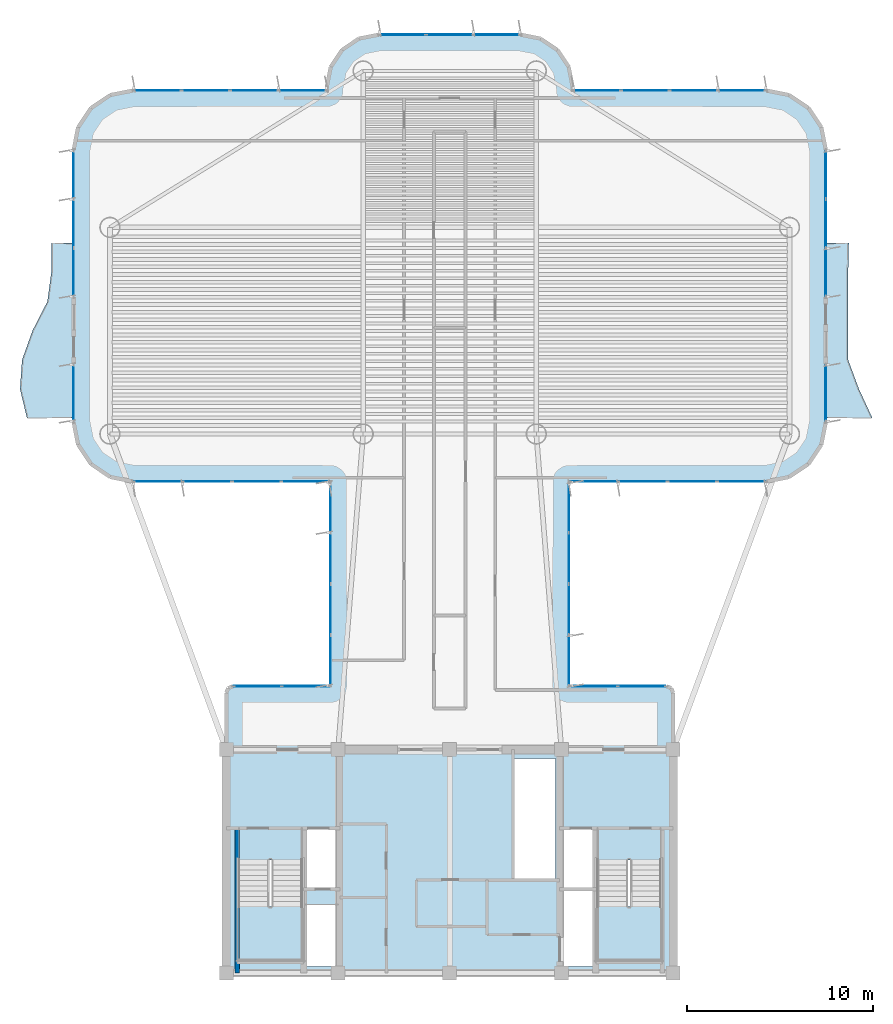
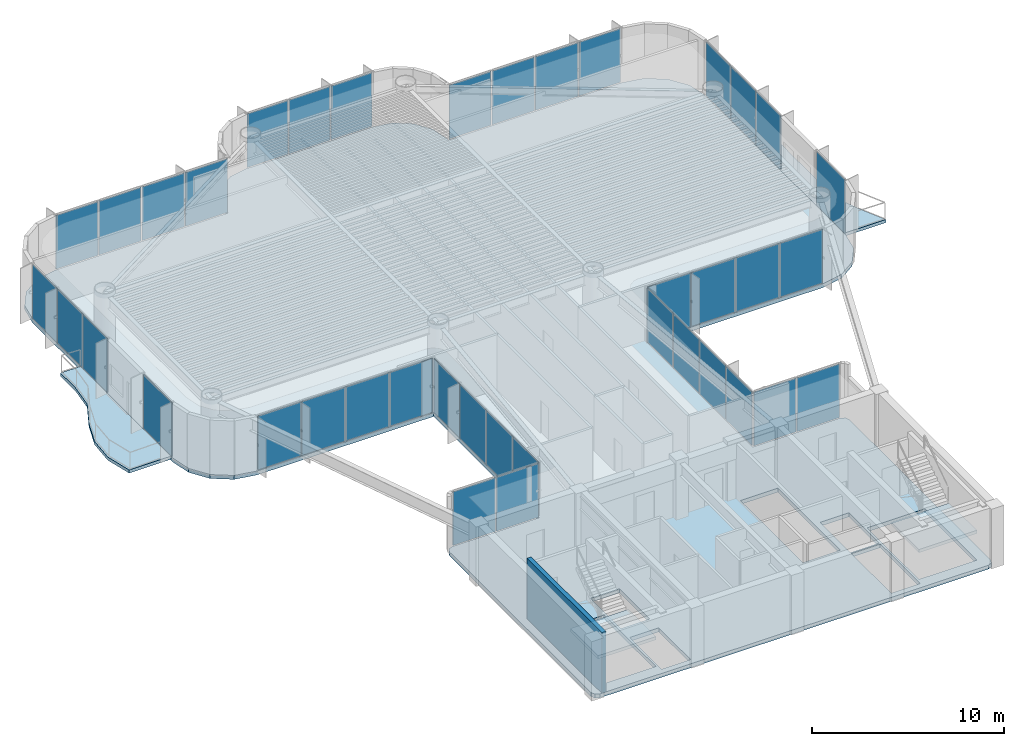
# One storey, part 8 of 13: 39 plates, 5 slabs, 1 wall, 15 elements without a shape of their own.
"""IFC4 building model written with IfcOpenShell, lengths in metres."""

from ifc_helpers import new_model, si_unit, direction, frame, frame_2d, origin, origin_2d, place, context, subcontext, project, spatial, polyline, rectangle, outline, extrude, source, transform, mapped, material, layer, layer_set, type_object, element, aggregate, save


model = new_model("IFC4")

# Units and contexts
model_context = context("Model", 3, precision=1e-05, world=origin(), true_north=direction((0.0, 1.0)))
body_context = subcontext(model_context, "Body", "Model", "MODEL_VIEW")
ifc_project = project(units=[si_unit("LENGTHUNIT", "METRE"), si_unit("AREAUNIT", "SQUARE_METRE"), si_unit("VOLUMEUNIT", "CUBIC_METRE"), si_unit("PLANEANGLEUNIT", "RADIAN"), si_unit("MASSUNIT", "GRAM", prefix="KILO")], contexts=[model_context])

# Site, building, storey
site_placement = place(None, origin())
site = spatial("IfcSite", under=ifc_project, at=site_placement, CompositionType="ELEMENT")
building_placement = place(site_placement, origin())
building = spatial("IfcBuilding", under=site, at=building_placement, Name="Brelvock Crest Care Tower", CompositionType="ELEMENT")
storey_placement = place(building_placement, frame((0.0, 0.0, 186.659912109375)))
storey = spatial("IfcBuildingStorey", under=building, at=storey_placement, Name="L47", CompositionType="ELEMENT", Elevation=186.659912109375)

# Slabs
ifc_material_1 = material(Name="Concrete N50 (50 MPa)", Category="concrete")
ifc_layer_1 = layer(ifc_material_1, 0.22998046875, Name="SLB-FL4")
ifc_layer_set_1 = layer_set([ifc_layer_1], Name="Concrete N50 (50 MPa)")
slab_type_1 = type_object("IfcSlabType", Name="SLB-FL4", PredefinedType="FLOOR", material=ifc_layer_set_1)
slab_1_placement = place(storey_placement, frame((0.0, 0.0, -0.25)))
element("IfcSlab", 1, at=slab_1_placement, inside=storey, type_object=slab_type_1, Name="L47 Main Structural Slab", PredefinedType="FLOOR", context=body_context, shape_type="SweptSolid", body=[
    extrude(outline(polyline([(47.64990234375, 21.39990234375), (42.39990234375, 21.39990234375), (42.39990234375, 32.39990234375), (53.0, 32.39990234375), (54.224609375, 32.6435546875), (55.2626953125, 33.33740234375), (55.956298828125, 34.37548828125), (56.199951171875, 35.60009765625), (56.199951171875, 50.199951171875), (55.956298828125, 51.424560546875), (55.2626953125, 52.462646484375), (54.224609375, 53.156494140625), (53.0, 53.39990234375), (42.60009765625, 53.39990234375), (42.60009765625, 53.60009765625), (42.386962890625, 54.67138671875), (41.77978515625, 55.579833984375), (40.87158203125, 56.18701171875), (39.800048828125, 56.39990234375), (32.199951171875, 56.39990234375), (31.12841796875, 56.18701171875), (30.22021484375, 55.579833984375), (29.613037109375, 54.67138671875), (29.39990234375, 53.60009765625), (29.39990234375, 53.39990234375), (19.0, 53.39990234375), (17.775390625, 53.156494140625), (16.7373046875, 52.462646484375), (16.043701171875, 51.424560546875), (15.800048828125, 50.199951171875), (15.800048828125, 35.60009765625), (16.043701171875, 34.37548828125), (16.7373046875, 33.33740234375), (17.775390625, 32.6435546875), (19.0, 32.39990234375), (29.60009765625, 32.39990234375), (29.60009765625, 21.39990234375), (24.35009765625, 21.39990234375), (24.1025390625, 21.297607421875), (24.0, 21.050048828125), (24.0, 6.35009765625), (24.1025390625, 6.1025390625), (24.35009765625, 6.0), (47.64990234375, 6.0), (47.8974609375, 6.1025390625), (48.0, 6.35009765625), (48.0, 21.050048828125), (47.8974609375, 21.297607421875), (47.64990234375, 21.39990234375)]), holes=[polyline([(28.239990234375, 10.580078125), (29.97998046875, 10.580078125), (29.97998046875, 13.739990234375), (28.239990234375, 13.739990234375), (28.239990234375, 10.580078125)]), polyline([(42.02001953125, 10.580078125), (43.760009765625, 10.580078125), (43.760009765625, 13.739990234375), (42.02001953125, 13.739990234375), (42.02001953125, 10.580078125)]), polyline([(28.239990234375, 6.340087890625), (29.97998046875, 6.340087890625), (29.97998046875, 9.64990234375), (28.239990234375, 9.64990234375), (28.239990234375, 6.340087890625)]), polyline([(24.6298828125, 12.080078125), (24.6298828125, 6.699951171875), (28.110107421875, 6.699951171875), (28.110107421875, 12.080078125), (24.6298828125, 12.080078125)]), polyline([(43.889892578125, 12.080078125), (43.889892578125, 6.699951171875), (47.3701171875, 6.699951171875), (47.3701171875, 12.080078125), (43.889892578125, 12.080078125)]), polyline([(42.02001953125, 6.340087890625), (43.760009765625, 6.340087890625), (43.760009765625, 10.5), (42.02001953125, 10.5), (42.02001953125, 6.340087890625)]), polyline([(39.429931640625, 11.030029296875), (41.669921875, 11.030029296875), (41.669921875, 17.52001953125), (39.429931640625, 17.52001953125), (39.429931640625, 11.030029296875)])]), origin(), (0.0, 0.0, 1.0), 0.25),
])
ifc_layer_2 = layer(ifc_material_1, 0.199951171875, Name="SLB-WB2")
ifc_layer_set_2 = layer_set([ifc_layer_2], Name="Concrete N50 (50 MPa)")
slab_type_2 = type_object("IfcSlabType", Name="SLB-WB2", PredefinedType="FLOOR", material=ifc_layer_set_2)
slab_2_placement = place(storey_placement, frame((0.0, 0.0, -0.199951171875)))
element("IfcSlab", 2, at=slab_2_placement, inside=storey, type_object=slab_type_2, Name="L47 W Sinusoidal Wave Balcony Slab", PredefinedType="FLOOR", context=body_context, shape_type="SweptSolid", body=[
    extrude(outline(polyline([(15.800048828125, 45.199951171875), (14.60009765625, 45.199951171875), (14.60009765625, 43.63330078125), (14.39111328125, 42.066650390625), (13.59033203125, 40.5), (13.031494140625, 38.933349609375), (12.91943359375, 37.36669921875), (13.29541015625, 35.800048828125), (15.800048828125, 35.800048828125), (15.800048828125, 45.199951171875)])), origin(), (0.0, 0.0, 1.0), 0.199951171875),
])
slab_3_placement = place(storey_placement, frame((0.0, 0.0, -0.199951171875)))
element("IfcSlab", 3, at=slab_3_placement, inside=storey, type_object=slab_type_2, Name="L47 E Sinusoidal Wave Balcony Slab", PredefinedType="FLOOR", context=body_context, shape_type="SweptSolid", body=[
    extrude(outline(polyline([(56.199951171875, 35.800048828125), (58.70458984375, 35.800048828125), (57.978515625, 37.36669921875), (57.39990234375, 38.933349609375), (57.39990234375, 40.5), (57.39990234375, 42.066650390625), (57.39990234375, 43.63330078125), (57.434814453125, 45.199951171875), (56.199951171875, 45.199951171875), (56.199951171875, 35.800048828125)])), origin(), (0.0, 0.0, 1.0), 0.199951171875),
])

# Stair, slab
ifc_material_2 = material(Name="Concrete N40 (40 MPa)", Category="concrete")
stair_type = type_object("IfcStairType", Name="ST-CORE1", PredefinedType="HALF_TURN_STAIR", material=ifc_material_2)
stair_1_placement = place(storey_placement, origin())
stair_1 = element("IfcStair", 4, at=stair_1_placement, inside=storey, type_object=stair_type, Name="L47 Fire-Isolated Core Stair ST-1", PredefinedType="HALF_TURN_STAIR")
ifc_layer_3 = layer(ifc_material_2, 0.199951171875, Name="STL-1")
ifc_layer_set_3 = layer_set([ifc_layer_3], Name="Concrete N40 (40 MPa)")
slab_type_3 = type_object("IfcSlabType", Name="STL-1", PredefinedType="LANDING", material=ifc_layer_set_3)
slab_4_placement = place(storey_placement, frame((0.0, 0.0, 1.690185546875)))
slab_4 = element("IfcSlab", 5, at=slab_4_placement, type_object=slab_type_3, Name="ST-1 landing 1", PredefinedType="LANDING", context=body_context, shape_type="SweptSolid", body=[
    extrude(outline(polyline([(24.6298828125, 9.56005859375), (24.6298828125, 6.699951171875), (28.110107421875, 6.699951171875), (28.110107421875, 9.56005859375), (24.6298828125, 9.56005859375)])), origin(), (0.0, 0.0, 1.0), 0.199951171875),
])
aggregate(stair_1, [slab_4])

stair_2_placement = place(storey_placement, origin())
stair_2 = element("IfcStair", 6, at=stair_2_placement, inside=storey, type_object=stair_type, Name="L47 Fire-Isolated Core Stair ST-2", PredefinedType="HALF_TURN_STAIR")
slab_5_placement = place(storey_placement, frame((0.0, 0.0, 1.690185546875)))
slab_5 = element("IfcSlab", 7, at=slab_5_placement, type_object=slab_type_3, Name="ST-2 landing 1", PredefinedType="LANDING", context=body_context, shape_type="SweptSolid", body=[
    extrude(outline(polyline([(43.889892578125, 9.56005859375), (43.889892578125, 6.699951171875), (47.3701171875, 6.699951171875), (47.3701171875, 9.56005859375), (43.889892578125, 9.56005859375)])), origin(), (0.0, 0.0, 1.0), 0.199951171875),
])
aggregate(stair_2, [slab_5])

# Curtain wall, plates
ifc_material_3 = material(Name="Dark Glass Double Glazed Low-E", Category="glass")
ifc_layer_4 = layer(ifc_material_3, 0.22509765625, Name="CWS-4")
ifc_layer_set_4 = layer_set([ifc_layer_4], Name="Dark Glass Double Glazed Low-E")
curtain_wall_type = type_object("IfcCurtainWallType", Name="CWS-4", PredefinedType="NOTDEFINED", material=ifc_layer_set_4)
curtain_wall_1_placement = place(storey_placement, origin())
curtain_wall_1 = element("IfcCurtainWall", 8, at=curtain_wall_1_placement, inside=storey, type_object=curtain_wall_type, Name="L47 Curtain Wall E10", PredefinedType="NOTDEFINED")
ifc_layer_5 = layer(ifc_material_3, 0.0380859375, Name="CWP-V2")
ifc_layer_set_5 = layer_set([ifc_layer_5], Name="Dark Glass Double Glazed Low-E")
plate_type = type_object("IfcPlateType", Name="CWP-V2", PredefinedType="CURTAIN_PANEL", material=ifc_layer_set_5)
shared_shape_1 = source(origin(), body_context, "Body", "SweptSolid", [
    extrude(rectangle(XDim=2.534912109375, YDim=0.035888671875, at=origin_2d()), origin(), (0.0, 0.0, 1.0), 3.409912109375),
])
plate_1_placement = place(storey_placement, frame((25.677490234375, 21.39990234375, 0.06005859375), z_axis=(0.0, 0.0, 1.0), x_axis=(1.0, 0.0, 0.0)))
plate_1 = element("IfcPlate", 9, at=plate_1_placement, type_object=plate_type, Name="CW-4 panel 1.1", PredefinedType="CURTAIN_PANEL", context=body_context, shape_type="MappedRepresentation", body=[
    mapped(shared_shape_1, transform((0.0, 0.0, 0.0), x_axis=(1.0, 0.0, 0.0), y_axis=(0.0, 1.0, 0.0), z_axis=(0.0, 0.0, 1.0), scale=1.0)),
])
plate_2_placement = place(storey_placement, frame((28.2724609375, 21.39990234375, 0.06005859375), z_axis=(0.0, 0.0, 1.0), x_axis=(1.0, 0.0, 0.0)))
plate_2 = element("IfcPlate", 10, at=plate_2_placement, type_object=plate_type, Name="CW-4 panel 2.1", PredefinedType="CURTAIN_PANEL", context=body_context, shape_type="MappedRepresentation", body=[
    mapped(shared_shape_1, transform((0.0, 0.0, 0.0), x_axis=(1.0, 0.0, 0.0), y_axis=(0.0, 1.0, 0.0), z_axis=(0.0, 0.0, 1.0), scale=1.0)),
])
aggregate(curtain_wall_1, [plate_1, plate_2])

curtain_wall_2_placement = place(storey_placement, origin())
curtain_wall_2 = element("IfcCurtainWall", 11, at=curtain_wall_2_placement, inside=storey, type_object=curtain_wall_type, Name="L47 Curtain Wall E46", PredefinedType="NOTDEFINED")
plate_3_placement = place(storey_placement, frame((43.7275390625, 21.39990234375, 0.06005859375), z_axis=(0.0, 0.0, 1.0), x_axis=(1.0, 0.0, 0.0)))
plate_3 = element("IfcPlate", 12, at=plate_3_placement, type_object=plate_type, Name="CW-4 panel 1.1", PredefinedType="CURTAIN_PANEL", context=body_context, shape_type="MappedRepresentation", body=[
    mapped(shared_shape_1, transform((0.0, 0.0, 0.0), x_axis=(1.0, 0.0, 0.0), y_axis=(0.0, 1.0, 0.0), z_axis=(0.0, 0.0, 1.0), scale=1.0)),
])
plate_4_placement = place(storey_placement, frame((46.322509765625, 21.39990234375, 0.06005859375), z_axis=(0.0, 0.0, 1.0), x_axis=(1.0, 0.0, 0.0)))
plate_4 = element("IfcPlate", 13, at=plate_4_placement, type_object=plate_type, Name="CW-4 panel 2.1", PredefinedType="CURTAIN_PANEL", context=body_context, shape_type="MappedRepresentation", body=[
    mapped(shared_shape_1, transform((0.0, 0.0, 0.0), x_axis=(1.0, 0.0, 0.0), y_axis=(0.0, 1.0, 0.0), z_axis=(0.0, 0.0, 1.0), scale=1.0)),
])
aggregate(curtain_wall_2, [plate_3, plate_4])

curtain_wall_3_placement = place(storey_placement, origin())
curtain_wall_3 = element("IfcCurtainWall", 14, at=curtain_wall_3_placement, inside=storey, type_object=curtain_wall_type, Name="L47 Curtain Wall E11", PredefinedType="NOTDEFINED")
shared_shape_2 = source(origin(), body_context, "Body", "SweptSolid", [
    extrude(rectangle(XDim=2.659912109375, YDim=0.035888671875, at=origin_2d()), origin(), (0.0, 0.0, 1.0), 3.409912109375),
])
plate_5_placement = place(storey_placement, frame((29.60009765625, 22.7900390625, 0.06005859375), z_axis=(0.0, 0.0, 1.0), x_axis=(0.0, 1.0, 0.0)))
plate_5 = element("IfcPlate", 15, at=plate_5_placement, type_object=plate_type, Name="CW-4 panel 1.1", PredefinedType="CURTAIN_PANEL", context=body_context, shape_type="MappedRepresentation", body=[
    mapped(shared_shape_2, transform((0.0, 0.0, 0.0), x_axis=(1.0, 0.0, 0.0), y_axis=(0.0, 1.0, 0.0), z_axis=(0.0, 0.0, 1.0), scale=1.0)),
])
plate_6_placement = place(storey_placement, frame((29.60009765625, 31.010009765625, 0.06005859375), z_axis=(0.0, 0.0, 1.0), x_axis=(0.0, 1.0, 0.0)))
plate_6 = element("IfcPlate", 16, at=plate_6_placement, type_object=plate_type, Name="CW-4 panel 4.1", PredefinedType="CURTAIN_PANEL", context=body_context, shape_type="MappedRepresentation", body=[
    mapped(shared_shape_2, transform((0.0, 0.0, 0.0), x_axis=(1.0, 0.0, 0.0), y_axis=(0.0, 1.0, 0.0), z_axis=(0.0, 0.0, 1.0), scale=1.0)),
])

curtain_wall_4_placement = place(storey_placement, origin())
curtain_wall_4 = element("IfcCurtainWall", 17, at=curtain_wall_4_placement, inside=storey, type_object=curtain_wall_type, Name="L47 Curtain Wall E45", PredefinedType="NOTDEFINED")
plate_7_placement = place(storey_placement, frame((42.39990234375, 31.010009765625, 0.06005859375), z_axis=(0.0, 0.0, 1.0), x_axis=(0.0, -1.0, 0.0)))
plate_7 = element("IfcPlate", 18, at=plate_7_placement, type_object=plate_type, Name="CW-4 panel 1.1", PredefinedType="CURTAIN_PANEL", context=body_context, shape_type="MappedRepresentation", body=[
    mapped(shared_shape_2, transform((0.0, 0.0, 0.0), x_axis=(1.0, 0.0, 0.0), y_axis=(0.0, 1.0, 0.0), z_axis=(0.0, 0.0, 1.0), scale=1.0)),
])
plate_8_placement = place(storey_placement, frame((42.39990234375, 22.7900390625, 0.06005859375), z_axis=(0.0, 0.0, 1.0), x_axis=(0.0, -1.0, 0.0)))
plate_8 = element("IfcPlate", 19, at=plate_8_placement, type_object=plate_type, Name="CW-4 panel 4.1", PredefinedType="CURTAIN_PANEL", context=body_context, shape_type="MappedRepresentation", body=[
    mapped(shared_shape_2, transform((0.0, 0.0, 0.0), x_axis=(1.0, 0.0, 0.0), y_axis=(0.0, 1.0, 0.0), z_axis=(0.0, 0.0, 1.0), scale=1.0)),
])

# Plate
shared_shape_3 = source(origin(), body_context, "Body", "SweptSolid", [
    extrude(rectangle(XDim=2.68994140625, YDim=0.035888671875, at=origin_2d()), origin(), (0.0, 0.0, 1.0), 3.409912109375),
])
plate_9_placement = place(storey_placement, frame((29.60009765625, 25.52490234375, 0.06005859375), z_axis=(0.0, 0.0, 1.0), x_axis=(0.0, 1.0, 0.0)))
plate_9 = element("IfcPlate", 20, at=plate_9_placement, type_object=plate_type, Name="CW-4 panel 2.1", PredefinedType="CURTAIN_PANEL", context=body_context, shape_type="MappedRepresentation", body=[
    mapped(shared_shape_3, transform((0.0, 0.0, 0.0), x_axis=(1.0, 0.0, 0.0), y_axis=(0.0, 1.0, 0.0), z_axis=(0.0, 0.0, 1.0), scale=1.0)),
])

plate_10_placement = place(storey_placement, frame((29.60009765625, 28.27490234375, 0.06005859375), z_axis=(0.0, 0.0, 1.0), x_axis=(0.0, 1.0, 0.0)))
plate_10 = element("IfcPlate", 21, at=plate_10_placement, type_object=plate_type, Name="CW-4 panel 3.1", PredefinedType="CURTAIN_PANEL", context=body_context, shape_type="MappedRepresentation", body=[
    mapped(shared_shape_3, transform((0.0, 0.0, 0.0), x_axis=(1.0, 0.0, 0.0), y_axis=(0.0, 1.0, 0.0), z_axis=(0.0, 0.0, 1.0), scale=1.0)),
])

aggregate(curtain_wall_3, [plate_5, plate_9, plate_10, plate_6])

plate_11_placement = place(storey_placement, frame((42.39990234375, 28.27490234375, 0.06005859375), z_axis=(0.0, 0.0, 1.0), x_axis=(0.0, -1.0, 0.0)))
plate_11 = element("IfcPlate", 22, at=plate_11_placement, type_object=plate_type, Name="CW-4 panel 2.1", PredefinedType="CURTAIN_PANEL", context=body_context, shape_type="MappedRepresentation", body=[
    mapped(shared_shape_3, transform((0.0, 0.0, 0.0), x_axis=(1.0, 0.0, 0.0), y_axis=(0.0, 1.0, 0.0), z_axis=(0.0, 0.0, 1.0), scale=1.0)),
])

plate_12_placement = place(storey_placement, frame((42.39990234375, 25.52490234375, 0.06005859375), z_axis=(0.0, 0.0, 1.0), x_axis=(0.0, -1.0, 0.0)))
plate_12 = element("IfcPlate", 23, at=plate_12_placement, type_object=plate_type, Name="CW-4 panel 3.1", PredefinedType="CURTAIN_PANEL", context=body_context, shape_type="MappedRepresentation", body=[
    mapped(shared_shape_3, transform((0.0, 0.0, 0.0), x_axis=(1.0, 0.0, 0.0), y_axis=(0.0, 1.0, 0.0), z_axis=(0.0, 0.0, 1.0), scale=1.0)),
])

aggregate(curtain_wall_4, [plate_7, plate_11, plate_12, plate_8])

# Curtain wall, plates
curtain_wall_5_placement = place(storey_placement, origin())
curtain_wall_5 = element("IfcCurtainWall", 24, at=curtain_wall_5_placement, inside=storey, type_object=curtain_wall_type, Name="L47 Curtain Wall E12", PredefinedType="NOTDEFINED")
shared_shape_4 = source(origin(), body_context, "Body", "SweptSolid", [
    extrude(rectangle(XDim=2.56005859375, YDim=0.035888671875, at=origin_2d()), origin(), (0.0, 0.0, 1.0), 3.409912109375),
])
plate_13_placement = place(storey_placement, frame((28.260009765625, 32.39990234375, 0.06005859375), z_axis=(0.0, 0.0, 1.0), x_axis=(-1.0, 0.0, 0.0)))
plate_13 = element("IfcPlate", 25, at=plate_13_placement, type_object=plate_type, Name="CW-4 panel 1.1", PredefinedType="CURTAIN_PANEL", context=body_context, shape_type="MappedRepresentation", body=[
    mapped(shared_shape_4, transform((0.0, 0.0, 0.0), x_axis=(1.0, 0.0, 0.0), y_axis=(0.0, 1.0, 0.0), z_axis=(0.0, 0.0, 1.0), scale=1.0)),
])
plate_14_placement = place(storey_placement, frame((20.340087890625, 32.39990234375, 0.06005859375), z_axis=(0.0, 0.0, 1.0), x_axis=(-1.0, 0.0, 0.0)))
plate_14 = element("IfcPlate", 26, at=plate_14_placement, type_object=plate_type, Name="CW-4 panel 4.1", PredefinedType="CURTAIN_PANEL", context=body_context, shape_type="MappedRepresentation", body=[
    mapped(shared_shape_4, transform((0.0, 0.0, 0.0), x_axis=(1.0, 0.0, 0.0), y_axis=(0.0, 1.0, 0.0), z_axis=(0.0, 0.0, 1.0), scale=1.0)),
])

curtain_wall_6_placement = place(storey_placement, origin())
curtain_wall_6 = element("IfcCurtainWall", 27, at=curtain_wall_6_placement, inside=storey, type_object=curtain_wall_type, Name="L47 Curtain Wall E44", PredefinedType="NOTDEFINED")
plate_15_placement = place(storey_placement, frame((51.659912109375, 32.39990234375, 0.06005859375), z_axis=(0.0, 0.0, 1.0), x_axis=(-1.0, 0.0, 0.0)))
plate_15 = element("IfcPlate", 28, at=plate_15_placement, type_object=plate_type, Name="CW-4 panel 1.1", PredefinedType="CURTAIN_PANEL", context=body_context, shape_type="MappedRepresentation", body=[
    mapped(shared_shape_4, transform((0.0, 0.0, 0.0), x_axis=(1.0, 0.0, 0.0), y_axis=(0.0, 1.0, 0.0), z_axis=(0.0, 0.0, 1.0), scale=1.0)),
])
plate_16_placement = place(storey_placement, frame((43.739990234375, 32.39990234375, 0.06005859375), z_axis=(0.0, 0.0, 1.0), x_axis=(-1.0, 0.0, 0.0)))
plate_16 = element("IfcPlate", 29, at=plate_16_placement, type_object=plate_type, Name="CW-4 panel 4.1", PredefinedType="CURTAIN_PANEL", context=body_context, shape_type="MappedRepresentation", body=[
    mapped(shared_shape_4, transform((0.0, 0.0, 0.0), x_axis=(1.0, 0.0, 0.0), y_axis=(0.0, 1.0, 0.0), z_axis=(0.0, 0.0, 1.0), scale=1.0)),
])

# Plate
shared_shape_5 = source(origin(), body_context, "Body", "SweptSolid", [
    extrude(rectangle(XDim=2.590087890625, YDim=0.035888671875, at=origin_2d()), origin(), (0.0, 0.0, 1.0), 3.409912109375),
])
plate_17_placement = place(storey_placement, frame((25.625, 32.39990234375, 0.06005859375), z_axis=(0.0, 0.0, 1.0), x_axis=(-1.0, 0.0, 0.0)))
plate_17 = element("IfcPlate", 30, at=plate_17_placement, type_object=plate_type, Name="CW-4 panel 2.1", PredefinedType="CURTAIN_PANEL", context=body_context, shape_type="MappedRepresentation", body=[
    mapped(shared_shape_5, transform((0.0, 0.0, 0.0), x_axis=(1.0, 0.0, 0.0), y_axis=(0.0, 1.0, 0.0), z_axis=(0.0, 0.0, 1.0), scale=1.0)),
])

plate_18_placement = place(storey_placement, frame((22.97509765625, 32.39990234375, 0.06005859375), z_axis=(0.0, 0.0, 1.0), x_axis=(-1.0, 0.0, 0.0)))
plate_18 = element("IfcPlate", 31, at=plate_18_placement, type_object=plate_type, Name="CW-4 panel 3.1", PredefinedType="CURTAIN_PANEL", context=body_context, shape_type="MappedRepresentation", body=[
    mapped(shared_shape_5, transform((0.0, 0.0, 0.0), x_axis=(1.0, 0.0, 0.0), y_axis=(0.0, 1.0, 0.0), z_axis=(0.0, 0.0, 1.0), scale=1.0)),
])

aggregate(curtain_wall_5, [plate_13, plate_17, plate_18, plate_14])

plate_19_placement = place(storey_placement, frame((49.02490234375, 32.39990234375, 0.06005859375), z_axis=(0.0, 0.0, 1.0), x_axis=(-1.0, 0.0, 0.0)))
plate_19 = element("IfcPlate", 32, at=plate_19_placement, type_object=plate_type, Name="CW-4 panel 2.1", PredefinedType="CURTAIN_PANEL", context=body_context, shape_type="MappedRepresentation", body=[
    mapped(shared_shape_5, transform((0.0, 0.0, 0.0), x_axis=(1.0, 0.0, 0.0), y_axis=(0.0, 1.0, 0.0), z_axis=(0.0, 0.0, 1.0), scale=1.0)),
])

plate_20_placement = place(storey_placement, frame((46.375, 32.39990234375, 0.06005859375), z_axis=(0.0, 0.0, 1.0), x_axis=(-1.0, 0.0, 0.0)))
plate_20 = element("IfcPlate", 33, at=plate_20_placement, type_object=plate_type, Name="CW-4 panel 3.1", PredefinedType="CURTAIN_PANEL", context=body_context, shape_type="MappedRepresentation", body=[
    mapped(shared_shape_5, transform((0.0, 0.0, 0.0), x_axis=(1.0, 0.0, 0.0), y_axis=(0.0, 1.0, 0.0), z_axis=(0.0, 0.0, 1.0), scale=1.0)),
])

aggregate(curtain_wall_6, [plate_15, plate_19, plate_20, plate_16])

# Curtain wall, plates
curtain_wall_7_placement = place(storey_placement, origin())
curtain_wall_7 = element("IfcCurtainWall", 34, at=curtain_wall_7_placement, inside=storey, type_object=curtain_wall_type, Name="L47 Curtain Wall E22", PredefinedType="NOTDEFINED")
shared_shape_6 = source(origin(), body_context, "Body", "SweptSolid", [
    extrude(rectangle(XDim=2.510009765625, YDim=0.035888671875, at=origin_2d()), origin(), (0.0, 0.0, 1.0), 3.409912109375),
])
plate_21_placement = place(storey_placement, frame((20.31494140625, 53.39990234375, 0.06005859375), z_axis=(0.0, 0.0, 1.0), x_axis=(1.0, 0.0, 0.0)))
plate_21 = element("IfcPlate", 35, at=plate_21_placement, type_object=plate_type, Name="CW-4 panel 1.1", PredefinedType="CURTAIN_PANEL", context=body_context, shape_type="MappedRepresentation", body=[
    mapped(shared_shape_6, transform((0.0, 0.0, 0.0), x_axis=(1.0, 0.0, 0.0), y_axis=(0.0, 1.0, 0.0), z_axis=(0.0, 0.0, 1.0), scale=1.0)),
])
plate_22_placement = place(storey_placement, frame((28.0849609375, 53.39990234375, 0.06005859375), z_axis=(0.0, 0.0, 1.0), x_axis=(1.0, 0.0, 0.0)))
plate_22 = element("IfcPlate", 36, at=plate_22_placement, type_object=plate_type, Name="CW-4 panel 4.1", PredefinedType="CURTAIN_PANEL", context=body_context, shape_type="MappedRepresentation", body=[
    mapped(shared_shape_6, transform((0.0, 0.0, 0.0), x_axis=(1.0, 0.0, 0.0), y_axis=(0.0, 1.0, 0.0), z_axis=(0.0, 0.0, 1.0), scale=1.0)),
])

curtain_wall_8_placement = place(storey_placement, origin())
curtain_wall_8 = element("IfcCurtainWall", 37, at=curtain_wall_8_placement, inside=storey, type_object=curtain_wall_type, Name="L47 Curtain Wall E34", PredefinedType="NOTDEFINED")
plate_23_placement = place(storey_placement, frame((43.9150390625, 53.39990234375, 0.06005859375), z_axis=(0.0, 0.0, 1.0), x_axis=(1.0, 0.0, 0.0)))
plate_23 = element("IfcPlate", 38, at=plate_23_placement, type_object=plate_type, Name="CW-4 panel 1.1", PredefinedType="CURTAIN_PANEL", context=body_context, shape_type="MappedRepresentation", body=[
    mapped(shared_shape_6, transform((0.0, 0.0, 0.0), x_axis=(1.0, 0.0, 0.0), y_axis=(0.0, 1.0, 0.0), z_axis=(0.0, 0.0, 1.0), scale=1.0)),
])
plate_24_placement = place(storey_placement, frame((51.68505859375, 53.39990234375, 0.06005859375), z_axis=(0.0, 0.0, 1.0), x_axis=(1.0, 0.0, 0.0)))
plate_24 = element("IfcPlate", 39, at=plate_24_placement, type_object=plate_type, Name="CW-4 panel 4.1", PredefinedType="CURTAIN_PANEL", context=body_context, shape_type="MappedRepresentation", body=[
    mapped(shared_shape_6, transform((0.0, 0.0, 0.0), x_axis=(1.0, 0.0, 0.0), y_axis=(0.0, 1.0, 0.0), z_axis=(0.0, 0.0, 1.0), scale=1.0)),
])

# Plate
shared_shape_7 = source(origin(), body_context, "Body", "SweptSolid", [
    extrude(rectangle(XDim=2.5400390625, YDim=0.035888671875, at=origin_2d()), origin(), (0.0, 0.0, 1.0), 3.409912109375),
])
plate_25_placement = place(storey_placement, frame((22.89990234375, 53.39990234375, 0.06005859375), z_axis=(0.0, 0.0, 1.0), x_axis=(1.0, 0.0, 0.0)))
plate_25 = element("IfcPlate", 40, at=plate_25_placement, type_object=plate_type, Name="CW-4 panel 2.1", PredefinedType="CURTAIN_PANEL", context=body_context, shape_type="MappedRepresentation", body=[
    mapped(shared_shape_7, transform((0.0, 0.0, 0.0), x_axis=(1.0, 0.0, 0.0), y_axis=(0.0, 1.0, 0.0), z_axis=(0.0, 0.0, 1.0), scale=1.0)),
])

plate_26_placement = place(storey_placement, frame((25.5, 53.39990234375, 0.06005859375), z_axis=(0.0, 0.0, 1.0), x_axis=(1.0, 0.0, 0.0)))
plate_26 = element("IfcPlate", 41, at=plate_26_placement, type_object=plate_type, Name="CW-4 panel 3.1", PredefinedType="CURTAIN_PANEL", context=body_context, shape_type="MappedRepresentation", body=[
    mapped(shared_shape_7, transform((0.0, 0.0, 0.0), x_axis=(1.0, 0.0, 0.0), y_axis=(0.0, 1.0, 0.0), z_axis=(0.0, 0.0, 1.0), scale=1.0)),
])

aggregate(curtain_wall_7, [plate_21, plate_25, plate_26, plate_22])

plate_27_placement = place(storey_placement, frame((46.5, 53.39990234375, 0.06005859375), z_axis=(0.0, 0.0, 1.0), x_axis=(1.0, 0.0, 0.0)))
plate_27 = element("IfcPlate", 42, at=plate_27_placement, type_object=plate_type, Name="CW-4 panel 2.1", PredefinedType="CURTAIN_PANEL", context=body_context, shape_type="MappedRepresentation", body=[
    mapped(shared_shape_7, transform((0.0, 0.0, 0.0), x_axis=(1.0, 0.0, 0.0), y_axis=(0.0, 1.0, 0.0), z_axis=(0.0, 0.0, 1.0), scale=1.0)),
])

plate_28_placement = place(storey_placement, frame((49.10009765625, 53.39990234375, 0.06005859375), z_axis=(0.0, 0.0, 1.0), x_axis=(1.0, 0.0, 0.0)))
plate_28 = element("IfcPlate", 43, at=plate_28_placement, type_object=plate_type, Name="CW-4 panel 3.1", PredefinedType="CURTAIN_PANEL", context=body_context, shape_type="MappedRepresentation", body=[
    mapped(shared_shape_7, transform((0.0, 0.0, 0.0), x_axis=(1.0, 0.0, 0.0), y_axis=(0.0, 1.0, 0.0), z_axis=(0.0, 0.0, 1.0), scale=1.0)),
])

aggregate(curtain_wall_8, [plate_23, plate_27, plate_28, plate_24])

# Curtain wall, plates
curtain_wall_9_placement = place(storey_placement, origin())
curtain_wall_9 = element("IfcCurtainWall", 44, at=curtain_wall_9_placement, inside=storey, type_object=curtain_wall_type, Name="L47 Curtain Wall E28", PredefinedType="NOTDEFINED")
shared_shape_8 = source(origin(), body_context, "Body", "SweptSolid", [
    extrude(rectangle(XDim=2.443359375, YDim=0.035888671875, at=origin_2d()), origin(), (0.0, 0.0, 1.0), 3.409912109375),
])
plate_29_placement = place(storey_placement, frame((33.481689453125, 56.39990234375, 0.06005859375), z_axis=(0.0, 0.0, 1.0), x_axis=(1.0, 0.0, 0.0)))
plate_29 = element("IfcPlate", 45, at=plate_29_placement, type_object=plate_type, Name="CW-4 panel 1.1", PredefinedType="CURTAIN_PANEL", context=body_context, shape_type="MappedRepresentation", body=[
    mapped(shared_shape_8, transform((0.0, 0.0, 0.0), x_axis=(1.0, 0.0, 0.0), y_axis=(0.0, 1.0, 0.0), z_axis=(0.0, 0.0, 1.0), scale=1.0)),
])
plate_30_placement = place(storey_placement, frame((38.518310546875, 56.39990234375, 0.06005859375), z_axis=(0.0, 0.0, 1.0), x_axis=(1.0, 0.0, 0.0)))
plate_30 = element("IfcPlate", 46, at=plate_30_placement, type_object=plate_type, Name="CW-4 panel 3.1", PredefinedType="CURTAIN_PANEL", context=body_context, shape_type="MappedRepresentation", body=[
    mapped(shared_shape_8, transform((0.0, 0.0, 0.0), x_axis=(1.0, 0.0, 0.0), y_axis=(0.0, 1.0, 0.0), z_axis=(0.0, 0.0, 1.0), scale=1.0)),
])
shared_shape_9 = source(origin(), body_context, "Body", "SweptSolid", [
    extrude(rectangle(XDim=2.473388671875, YDim=0.035888671875, at=origin_2d()), origin(), (0.0, 0.0, 1.0), 3.409912109375),
])
plate_31_placement = place(storey_placement, frame((36.0, 56.39990234375, 0.06005859375), z_axis=(0.0, 0.0, 1.0), x_axis=(1.0, 0.0, 0.0)))
plate_31 = element("IfcPlate", 47, at=plate_31_placement, type_object=plate_type, Name="CW-4 panel 2.1", PredefinedType="CURTAIN_PANEL", context=body_context, shape_type="MappedRepresentation", body=[
    mapped(shared_shape_9, transform((0.0, 0.0, 0.0), x_axis=(1.0, 0.0, 0.0), y_axis=(0.0, 1.0, 0.0), z_axis=(0.0, 0.0, 1.0), scale=1.0)),
])
aggregate(curtain_wall_9, [plate_29, plate_31, plate_30])

# Curtain wall, plate
curtain_wall_10_placement = place(storey_placement, origin())
curtain_wall_10 = element("IfcCurtainWall", 48, at=curtain_wall_10_placement, inside=storey, type_object=curtain_wall_type, Name="L47 Curtain Wall E17A", PredefinedType="NOTDEFINED")
shared_shape_10 = source(origin(), body_context, "Body", "SweptSolid", [
    extrude(rectangle(XDim=2.97998046875, YDim=0.035888671875, at=origin_2d()), origin(), (0.0, 0.0, 1.0), 3.409912109375),
])
plate_32_placement = place(storey_placement, frame((15.800048828125, 37.14990234375, 0.06005859375), z_axis=(0.0, 0.0, 1.0), x_axis=(0.0, 1.0, 0.0)))
plate_32 = element("IfcPlate", 49, at=plate_32_placement, type_object=plate_type, Name="CW-4 panel 1.1", PredefinedType="CURTAIN_PANEL", context=body_context, shape_type="MappedRepresentation", body=[
    mapped(shared_shape_10, transform((0.0, 0.0, 0.0), x_axis=(1.0, 0.0, 0.0), y_axis=(0.0, 1.0, 0.0), z_axis=(0.0, 0.0, 1.0), scale=1.0)),
])
aggregate(curtain_wall_10, [plate_32])

curtain_wall_11_placement = place(storey_placement, origin())
curtain_wall_11 = element("IfcCurtainWall", 50, at=curtain_wall_11_placement, inside=storey, type_object=curtain_wall_type, Name="L47 Curtain Wall E39B", PredefinedType="NOTDEFINED")
plate_33_placement = place(storey_placement, frame((56.199951171875, 37.14990234375, 0.06005859375), z_axis=(0.0, 0.0, 1.0), x_axis=(0.0, -1.0, 0.0)))
plate_33 = element("IfcPlate", 51, at=plate_33_placement, type_object=plate_type, Name="CW-4 panel 1.1", PredefinedType="CURTAIN_PANEL", context=body_context, shape_type="MappedRepresentation", body=[
    mapped(shared_shape_10, transform((0.0, 0.0, 0.0), x_axis=(1.0, 0.0, 0.0), y_axis=(0.0, 1.0, 0.0), z_axis=(0.0, 0.0, 1.0), scale=1.0)),
])
aggregate(curtain_wall_11, [plate_33])

# Curtain wall, plates
curtain_wall_12_placement = place(storey_placement, origin())
curtain_wall_12 = element("IfcCurtainWall", 52, at=curtain_wall_12_placement, inside=storey, type_object=curtain_wall_type, Name="L47 Curtain Wall E17B", PredefinedType="NOTDEFINED")
shared_shape_11 = source(origin(), body_context, "Body", "SweptSolid", [
    extrude(rectangle(XDim=2.543212890625, YDim=0.035888671875, at=origin_2d()), origin(), (0.0, 0.0, 1.0), 3.409912109375),
])
plate_34_placement = place(storey_placement, frame((15.800048828125, 43.631591796875, 0.06005859375), z_axis=(0.0, 0.0, 1.0), x_axis=(0.0, 1.0, 0.0)))
plate_34 = element("IfcPlate", 53, at=plate_34_placement, type_object=plate_type, Name="CW-4 panel 1.1", PredefinedType="CURTAIN_PANEL", context=body_context, shape_type="MappedRepresentation", body=[
    mapped(shared_shape_11, transform((0.0, 0.0, 0.0), x_axis=(1.0, 0.0, 0.0), y_axis=(0.0, 1.0, 0.0), z_axis=(0.0, 0.0, 1.0), scale=1.0)),
])
plate_35_placement = place(storey_placement, frame((15.800048828125, 48.868408203125, 0.06005859375), z_axis=(0.0, 0.0, 1.0), x_axis=(0.0, 1.0, 0.0)))
plate_35 = element("IfcPlate", 54, at=plate_35_placement, type_object=plate_type, Name="CW-4 panel 3.1", PredefinedType="CURTAIN_PANEL", context=body_context, shape_type="MappedRepresentation", body=[
    mapped(shared_shape_11, transform((0.0, 0.0, 0.0), x_axis=(1.0, 0.0, 0.0), y_axis=(0.0, 1.0, 0.0), z_axis=(0.0, 0.0, 1.0), scale=1.0)),
])

curtain_wall_13_placement = place(storey_placement, origin())
curtain_wall_13 = element("IfcCurtainWall", 55, at=curtain_wall_13_placement, inside=storey, type_object=curtain_wall_type, Name="L47 Curtain Wall E39A", PredefinedType="NOTDEFINED")
plate_36_placement = place(storey_placement, frame((56.199951171875, 48.868408203125, 0.06005859375), z_axis=(0.0, 0.0, 1.0), x_axis=(0.0, -1.0, 0.0)))
plate_36 = element("IfcPlate", 56, at=plate_36_placement, type_object=plate_type, Name="CW-4 panel 1.1", PredefinedType="CURTAIN_PANEL", context=body_context, shape_type="MappedRepresentation", body=[
    mapped(shared_shape_11, transform((0.0, 0.0, 0.0), x_axis=(1.0, 0.0, 0.0), y_axis=(0.0, 1.0, 0.0), z_axis=(0.0, 0.0, 1.0), scale=1.0)),
])
plate_37_placement = place(storey_placement, frame((56.199951171875, 43.631591796875, 0.06005859375), z_axis=(0.0, 0.0, 1.0), x_axis=(0.0, -1.0, 0.0)))
plate_37 = element("IfcPlate", 57, at=plate_37_placement, type_object=plate_type, Name="CW-4 panel 3.1", PredefinedType="CURTAIN_PANEL", context=body_context, shape_type="MappedRepresentation", body=[
    mapped(shared_shape_11, transform((0.0, 0.0, 0.0), x_axis=(1.0, 0.0, 0.0), y_axis=(0.0, 1.0, 0.0), z_axis=(0.0, 0.0, 1.0), scale=1.0)),
])

# Plate
shared_shape_12 = source(origin(), body_context, "Body", "SweptSolid", [
    extrude(rectangle(XDim=2.5732421875, YDim=0.035888671875, at=origin_2d()), origin(), (0.0, 0.0, 1.0), 3.409912109375),
])
plate_38_placement = place(storey_placement, frame((15.800048828125, 46.25, 0.06005859375), z_axis=(0.0, 0.0, 1.0), x_axis=(0.0, 1.0, 0.0)))
plate_38 = element("IfcPlate", 58, at=plate_38_placement, type_object=plate_type, Name="CW-4 panel 2.1", PredefinedType="CURTAIN_PANEL", context=body_context, shape_type="MappedRepresentation", body=[
    mapped(shared_shape_12, transform((0.0, 0.0, 0.0), x_axis=(1.0, 0.0, 0.0), y_axis=(0.0, 1.0, 0.0), z_axis=(0.0, 0.0, 1.0), scale=1.0)),
])

aggregate(curtain_wall_12, [plate_34, plate_38, plate_35])

plate_39_placement = place(storey_placement, frame((56.199951171875, 46.25, 0.06005859375), z_axis=(0.0, 0.0, 1.0), x_axis=(0.0, -1.0, 0.0)))
plate_39 = element("IfcPlate", 59, at=plate_39_placement, type_object=plate_type, Name="CW-4 panel 2.1", PredefinedType="CURTAIN_PANEL", context=body_context, shape_type="MappedRepresentation", body=[
    mapped(shared_shape_12, transform((0.0, 0.0, 0.0), x_axis=(1.0, 0.0, 0.0), y_axis=(0.0, 1.0, 0.0), z_axis=(0.0, 0.0, 1.0), scale=1.0)),
])

aggregate(curtain_wall_13, [plate_36, plate_39, plate_37])

# Wall
ifc_material_4 = material(Name="Concrete S80 (80 MPa)", Category="concrete")
ifc_layer_6 = layer(ifc_material_4, 0.25, Name="WL-CS6")
ifc_layer_set_6 = layer_set([ifc_layer_6], Name="Concrete S80 (80 MPa)")
wall_type = type_object("IfcWallType", Name="WL-CS6", PredefinedType="SHEAR", material=ifc_layer_set_6)
wall_placement = place(storey_placement, frame((24.580078125, 6.0, 0.0), z_axis=(0.0, 0.0, 1.0), x_axis=(0.0, 1.0, 0.0)))
element("IfcWall", 60, at=wall_placement, inside=storey, type_object=wall_type, Name="L47 Core Stair ST-1 West Shear Wall", PredefinedType="SHEAR", context=body_context, shape_type="SweptSolid", body=[
    extrude(rectangle(XDim=7.780029296875, YDim=0.25, at=frame_2d((3.89013671875, 0.0))), origin(), (0.0, 0.0, 1.0), 3.85009765625),
])

save(model, "model.ifc")
